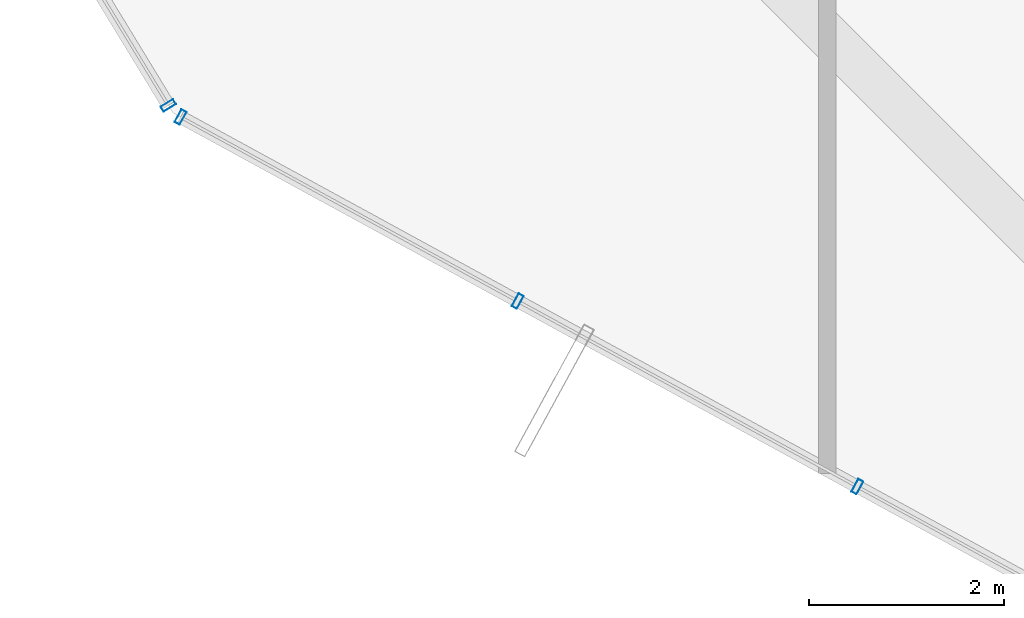
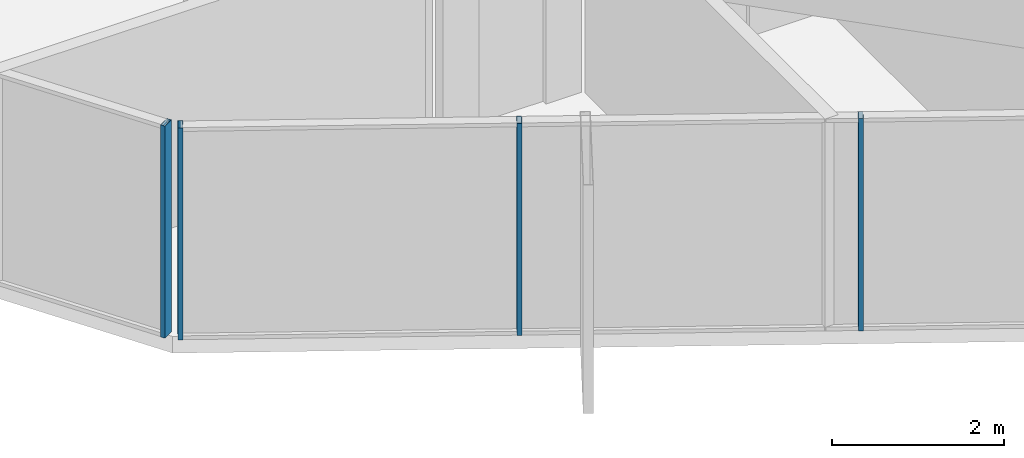
# One storey, part 2 of 32: 4 members, 2 elements without a shape of their own.
"""IFC4 building model written with IfcOpenShell, lengths in metres."""

from ifc_helpers import new_model, si_unit, direction, frame, origin, origin_2d, place, context, subcontext, project, spatial, hollow_rectangle, extrude, source, transform, mapped, material, layer, layer_set, material_profile, profile_set, type_object, element, aggregate, save


model = new_model("IFC4")

# Units and contexts
model_context = context("Model", 3, precision=1e-05, world=origin(), true_north=direction((0.0, 1.0)))
body_context = subcontext(model_context, "Body", "Model", "MODEL_VIEW")
ifc_project = project(units=[si_unit("LENGTHUNIT", "METRE"), si_unit("AREAUNIT", "SQUARE_METRE"), si_unit("VOLUMEUNIT", "CUBIC_METRE"), si_unit("PLANEANGLEUNIT", "RADIAN"), si_unit("MASSUNIT", "GRAM", prefix="KILO")], contexts=[model_context])

# Site, building, storey
site_placement = place(None, origin())
site = spatial("IfcSite", under=ifc_project, at=site_placement, CompositionType="ELEMENT")
building_placement = place(site_placement, origin())
building = spatial("IfcBuilding", under=site, at=building_placement, Name="Veraguas Prism Commons", CompositionType="ELEMENT")
storey_placement = place(building_placement, frame((0.0, 0.0, 201.60009765625)))
storey = spatial("IfcBuildingStorey", under=building, at=storey_placement, Name="L57", CompositionType="ELEMENT", Elevation=201.60009765625)

# Curtain wall, members
ifc_material = material(Name="Anodised aluminium EN AW-6063 T6", Category="aluminium")
ifc_layer = layer(ifc_material, 0.14990234375, Name="Unitised Flush Curtain Wall Zone 3", Category="aluminium")
ifc_layer_set = layer_set([ifc_layer], Name="Anodised aluminium EN AW-6063 T6")
curtain_wall_type = type_object("IfcCurtainWallType", Name="Unitised Flush Curtain Wall Zone 3", PredefinedType="NOTDEFINED", material=ifc_layer_set)
curtain_wall_1_placement = place(storey_placement, origin())
curtain_wall_1 = element("IfcCurtainWall", 1, at=curtain_wall_1_placement, inside=storey, type_object=curtain_wall_type, Name="Tower Facade Curtain Wall L57-F4", PredefinedType="NOTDEFINED")
ifc_material_profile = material_profile(ifc_material, hollow_rectangle(XDim=0.06005859375, YDim=0.14990234375, WallThickness=0.0029296875, at=origin_2d()), Name="AL60X150X3")
ifc_profile_set = profile_set([ifc_material_profile], Name="Anodised aluminium EN AW-6063 T6")
member_type = type_object("IfcMemberType", Name="Curtain Wall Mullion Upper AL 60x150x3", PredefinedType="MULLION", material=ifc_profile_set)
shared_shape = source(origin(), body_context, "Body", "SweptSolid", [
    extrude(hollow_rectangle(XDim=0.06005859375, YDim=0.14990234375, WallThickness=0.0029296875, at=origin_2d()), origin(), (0.0, 0.0, 1.0), 3.014892578125),
])
member_1_placement = place(storey_placement, frame((8.559326171875, 12.25341796875, 0.0), z_axis=(0.0, 0.0, 1.0), x_axis=(0.877646898441, -0.479307752553, 0.0)))
member_1 = element("IfcMember", 2, at=member_1_placement, type_object=member_type, Name="CW-Z3 Mullion 1", PredefinedType="MULLION", context=body_context, shape_type="MappedRepresentation", body=[
    mapped(shared_shape, transform((0.0, 0.0, 0.0), scale=1.0)),
])
member_2_placement = place(storey_placement, frame((12.022216796875, 10.362060546875, 0.0), z_axis=(0.0, 0.0, 1.0), x_axis=(0.877646898441, -0.479307752553, 0.0)))
member_2 = element("IfcMember", 3, at=member_2_placement, type_object=member_type, Name="CW-Z3 Mullion 2", PredefinedType="MULLION", context=body_context, shape_type="MappedRepresentation", body=[
    mapped(shared_shape, transform((0.0, 0.0, 0.0), scale=1.0)),
])
member_3_placement = place(storey_placement, frame((15.511474609375, 8.45654296875, 0.0), z_axis=(0.0, 0.0, 1.0), x_axis=(0.877646898441, -0.479307752553, 0.0)))
member_3 = element("IfcMember", 4, at=member_3_placement, type_object=member_type, Name="CW-Z3 Mullion 3", PredefinedType="MULLION", context=body_context, shape_type="MappedRepresentation", body=[
    mapped(shared_shape, transform((0.0, 0.0, 0.0), scale=1.0)),
])
aggregate(curtain_wall_1, [member_1, member_2, member_3])

# Curtain wall, member
curtain_wall_2_placement = place(storey_placement, origin())
curtain_wall_2 = element("IfcCurtainWall", 5, at=curtain_wall_2_placement, inside=storey, type_object=curtain_wall_type, Name="Chamfer Curtain Wall L57-C4", PredefinedType="NOTDEFINED")
member_4_placement = place(storey_placement, frame((8.43359375, 12.373291015625, 0.0), z_axis=(0.0, 0.0, 1.0), x_axis=(0.520425536895, -0.853907056153, 0.0)))
member_4 = element("IfcMember", 6, at=member_4_placement, type_object=member_type, Name="CW-Z3 Mullion 2", PredefinedType="MULLION", context=body_context, shape_type="MappedRepresentation", body=[
    mapped(shared_shape, transform((0.0, 0.0, 0.0), scale=1.0)),
])
aggregate(curtain_wall_2, [member_4])

save(model, "model.ifc")
